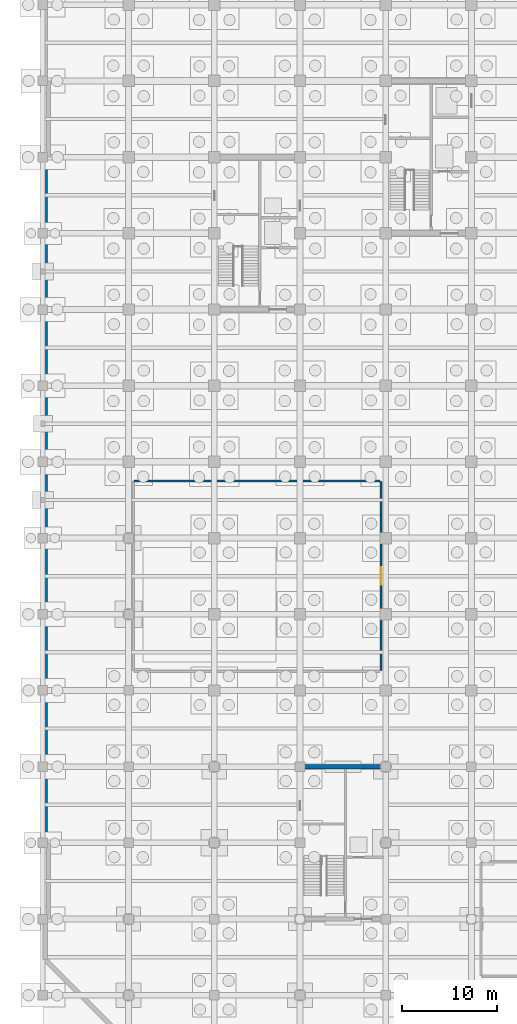
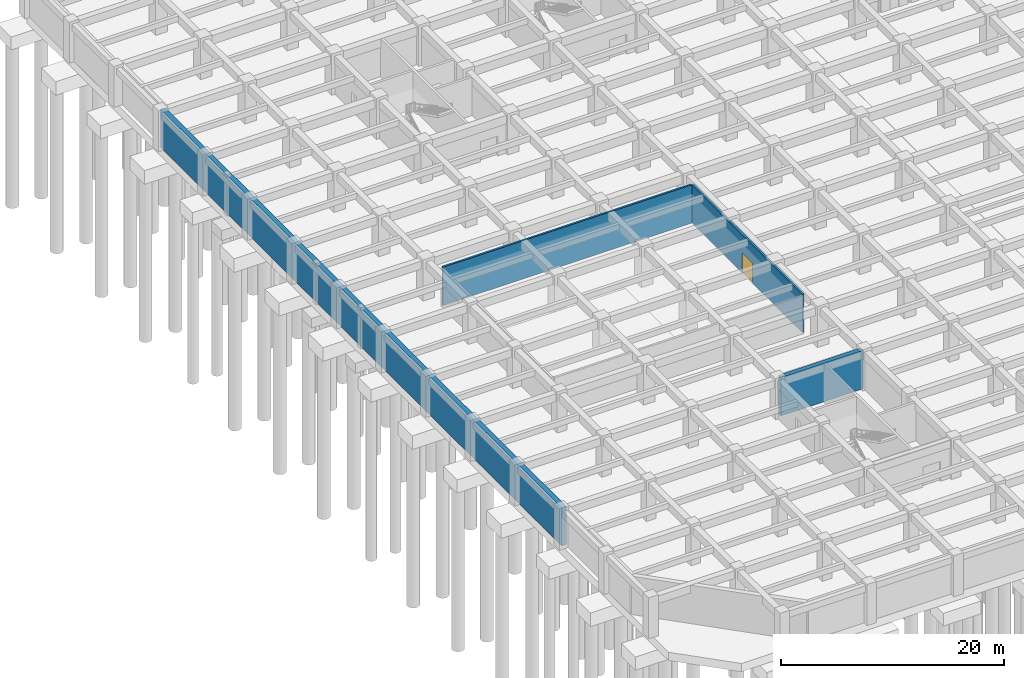
# One storey, part 18 of 31: 4 walls, 1 door, 1 opening.
"""IFC4 building model written with IfcOpenShell, lengths in metres."""

from ifc_helpers import new_model, si_unit, direction, frame, frame_2d, origin, place, context, subcontext, project, spatial, rectangle, extrude, material, layer, layer_set, type_object, element, fill, save


model = new_model("IFC4")

# Units and contexts
model_context = context("Model", 3, precision=1e-05, world=origin(), true_north=direction((0.0, 1.0)))
body_context = subcontext(model_context, "Body", "Model", "MODEL_VIEW")
ifc_project = project(units=[si_unit("LENGTHUNIT", "METRE"), si_unit("AREAUNIT", "SQUARE_METRE"), si_unit("VOLUMEUNIT", "CUBIC_METRE"), si_unit("PLANEANGLEUNIT", "RADIAN"), si_unit("MASSUNIT", "GRAM", prefix="KILO")], contexts=[model_context])

# Site, building, storey
site_placement = place(None, origin())
site = spatial("IfcSite", under=ifc_project, at=site_placement, CompositionType="ELEMENT")
building_placement = place(site_placement, origin())
building = spatial("IfcBuilding", under=site, at=building_placement, Name="Zaverband Oceanarium and Marine Research Institute", CompositionType="ELEMENT")
storey_placement = place(building_placement, frame((0.0, 0.0, -9.0)))
storey = spatial("IfcBuildingStorey", under=building, at=storey_placement, Name="B2", CompositionType="ELEMENT", Elevation=-9.0)

# Walls
ifc_material_1 = material(Name="Concrete C50/60", Category="concrete")
ifc_layer_1 = layer(ifc_material_1, 0.449951171875, Name="Concrete C50/60")
ifc_layer_set_1 = layer_set([ifc_layer_1], Name="Concrete C50/60")
wall_type_1 = type_object("IfcWallType", Name="CW-02", PredefinedType="SHEAR", material=ifc_layer_set_1)
wall_1_placement = place(storey_placement, frame((27.22509765625, 32.0, 0.0), z_axis=(0.0, 0.0, 1.0), x_axis=(1.0, 0.0, 0.0)))
element("IfcWall", 1, at=wall_1_placement, inside=storey, type_object=wall_type_1, Name="Structural shear wall CW-02", PredefinedType="SHEAR", context=body_context, shape_type="SweptSolid", body=[
    extrude(rectangle(XDim=8.5498046875, YDim=0.449951171875, at=frame_2d((4.27490234375, 0.0))), origin(), (0.0, 0.0, 1.0), 4.199951171875),
])
ifc_material_2 = material(Name="Fire-rated masonry compartment wall", Category="masonry")
ifc_layer_2 = layer(ifc_material_2, 0.199951171875, Name="Fire-rated masonry compartment wall")
ifc_layer_set_2 = layer_set([ifc_layer_2], Name="Fire-rated masonry compartment wall")
wall_type_2 = type_object("IfcWallType", Name="PT-200-FR", PredefinedType="PARTITIONING", material=ifc_layer_set_2)
wall_2_placement = place(storey_placement, frame((9.60009765625, 62.0, 0.0), z_axis=(0.0, 0.0, 1.0), x_axis=(1.0, 0.0, 0.0)))
element("IfcWall", 2, at=wall_2_placement, inside=storey, type_object=wall_type_2, Name="Internal partition PT-200-FR", PredefinedType="PARTITIONING", context=body_context, shape_type="SweptSolid", body=[
    extrude(rectangle(XDim=25.7998046875, YDim=0.199951171875, at=frame_2d((12.89990234375, 0.0))), origin(), (0.0, 0.0, 1.0), 4.199951171875),
])

# Wall, opening, door
wall_3_placement = place(storey_placement, frame((35.5, 42.10009765625, 0.0), z_axis=(0.0, 0.0, 1.0), x_axis=(0.0, 1.0, 0.0)))
wall_3 = element("IfcWall", 3, at=wall_3_placement, inside=storey, type_object=wall_type_2, Name="Internal partition PT-200-FR", PredefinedType="PARTITIONING", context=body_context, shape_type="SweptSolid", body=[
    extrude(rectangle(XDim=19.7998046875, YDim=0.199951171875, at=frame_2d((9.89990234375, 0.0))), origin(), (0.0, 0.0, 1.0), 4.199951171875),
])
opening_placement = place(wall_3_placement, frame((8.97509765625, 0.0, 0.0)))
opening = element("IfcOpeningElement", 4, at=opening_placement, cuts=wall_3, Name="Opening ID-1850x2180", PredefinedType="OPENING", context=body_context, shape_type="SweptSolid", body=[
    extrude(rectangle(XDim=1.85009765625, YDim=2.179931640625, at=frame_2d((0.925048828125, 1.08984375))), frame((0.0, 0.11181640625, 0.0), z_axis=(0.0, -1.0, 0.0), x_axis=(1.0, 0.0, 0.0)), (0.0, 0.0, 1.0), 0.223876953125),
])
ifc_material_3 = material(Name="Steel S355", Category="steel")
door_type = type_object("IfcDoorType", Name="ID-1850x2180", OperationType="DOUBLE_DOOR_SINGLE_SWING", PredefinedType="DOOR", material=ifc_material_3)
door_placement = place(opening_placement, origin())
door = element("IfcDoor", 5, at=door_placement, inside=storey, type_object=door_type, Name="Life support plant double equipment door ID-1850x2180", OperationType="DOUBLE_DOOR_SINGLE_SWING", OverallHeight=2.179931640625, OverallWidth=1.85009765625, PredefinedType="DOOR", context=body_context, shape_type="SweptSolid", body=[
    extrude(rectangle(XDim=1.85009765625, YDim=2.179931640625, at=frame_2d((0.925048828125, 1.08984375))), frame((0.0, 0.02490234375, 0.0), z_axis=(0.0, -1.0, 0.0), x_axis=(1.0, 0.0, 0.0)), (0.0, 0.0, 1.0), 0.050048828125),
])
fill(opening, door)

# Wall
ifc_material_4 = material(Name="Concrete C45/55", Category="concrete")
ifc_layer_3 = layer(ifc_material_4, 0.47998046875, Name="Concrete C45/55")
ifc_layer_set_3 = layer_set([ifc_layer_3], Name="Concrete C45/55")
wall_type_3 = type_object("IfcWallType", Name="RW-01", PredefinedType="SHEAR", material=ifc_layer_set_3)
wall_4_placement = place(storey_placement, frame((0.25, 96.0, 0.0), z_axis=(0.0, 0.0, 1.0), x_axis=(0.0, -1.0, 0.0)))
element("IfcWall", 6, at=wall_4_placement, inside=storey, type_object=wall_type_3, Name="Basement retaining wall RW-01", PredefinedType="SHEAR", context=body_context, shape_type="SweptSolid", body=[
    extrude(rectangle(XDim=72.0, YDim=0.47998046875, at=frame_2d((36.0, 0.0))), origin(), (0.0, 0.0, 1.0), 4.199951171875),
])

save(model, "model.ifc")
